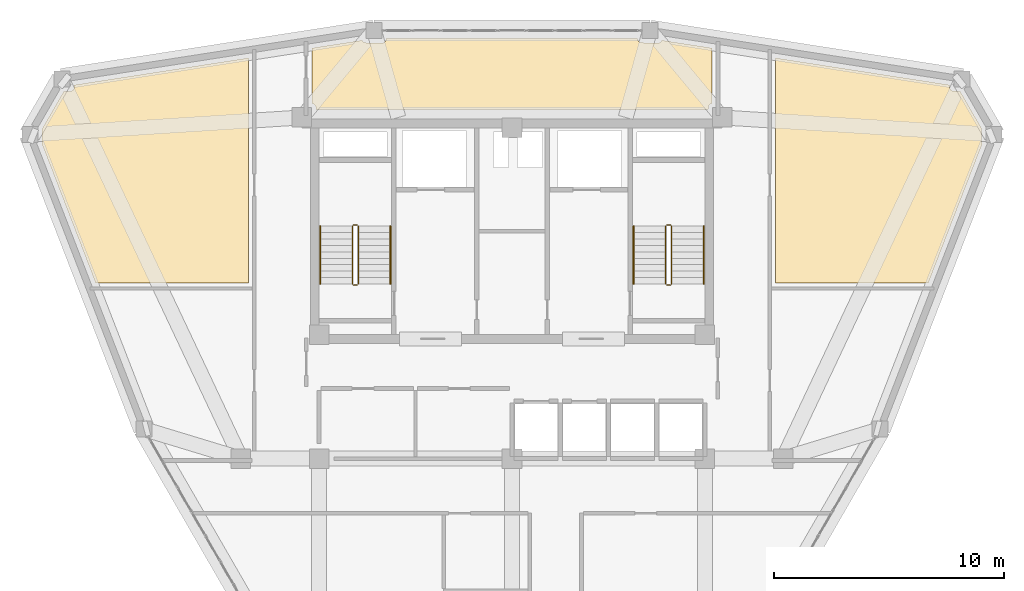
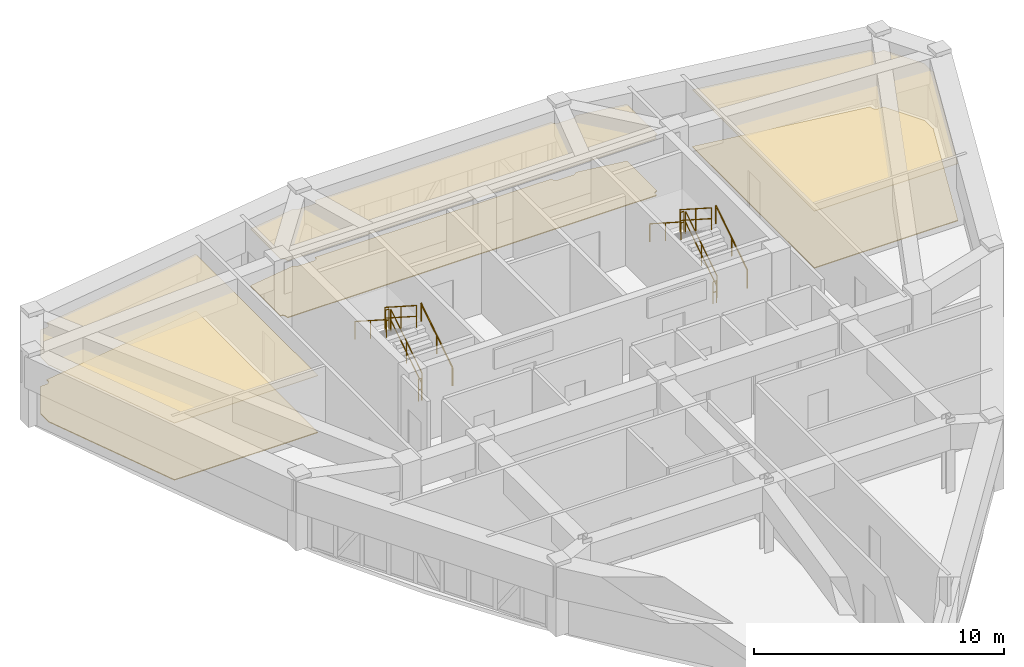
# One storey, part 15 of 15: 12 railings, 6 coverings.
"""IFC4 building model written with IfcOpenShell, lengths in metres."""

from ifc_helpers import new_model, si_unit, derived_unit, direction, frame, origin, origin_2d, place, context, subcontext, project, spatial, polyline, circle, outline, extrude, material, layer, layer_set, type_object, element, save


model = new_model("IFC4")

# Units and contexts
model_context = context("Model", 3, precision=1e-05, world=origin(), true_north=direction((0.0, 1.0)))
body_context = subcontext(model_context, "Body", "Model", "MODEL_VIEW")
ifc_project = project(units=[si_unit("LENGTHUNIT", "METRE"), si_unit("AREAUNIT", "SQUARE_METRE"), si_unit("VOLUMEUNIT", "CUBIC_METRE"), si_unit("PLANEANGLEUNIT", "RADIAN"), si_unit("MASSUNIT", "GRAM", prefix="KILO"), derived_unit("THERMALTRANSMITTANCEUNIT", [(si_unit("POWERUNIT", "WATT"), 1), (si_unit("LENGTHUNIT", "METRE"), -2), (si_unit("THERMODYNAMICTEMPERATUREUNIT", "KELVIN"), -1)])], contexts=[model_context])

# Site, building, storey
site_placement = place(None, origin())
site = spatial("IfcSite", under=ifc_project, at=site_placement, CompositionType="ELEMENT")
building_placement = place(site_placement, origin())
building = spatial("IfcBuilding", under=site, at=building_placement, Name="Korsvarv Bourse and Concert Hall", CompositionType="ELEMENT")
storey_placement = place(building_placement, frame((0.0, 0.0, 250.199951171875)))
storey = spatial("IfcBuildingStorey", under=building, at=storey_placement, Name="L65", CompositionType="ELEMENT", Elevation=250.199951171875)

# Coverings
ifc_material_1 = material(Name="Perforated mineral-wool and birch acoustic baffle ceiling", Category="wood")
ifc_layer_1 = layer(ifc_material_1, 0.02490234375)
ifc_layer_set_1 = layer_set([ifc_layer_1], Name="Perforated mineral-wool and birch acoustic baffle ceiling")
covering_type_1 = type_object("IfcCoveringType", Name="COV-CEIL-1", PredefinedType="CEILING", material=ifc_layer_set_1)
covering_1_placement = place(storey_placement, frame((0.0, 0.0, 2.7900390625)))
element("IfcCovering", 1, at=covering_1_placement, inside=storey, type_object=covering_type_1, Name="L65 acoustic baffle ceiling 1", PredefinedType="CEILING", context=body_context, shape_type="SweptSolid", body=[
    extrude(outline(polyline([(15.538330078125, 46.106201171875), (15.542236328125, 46.14111328125), (15.551513671875, 46.7578125), (16.490478515625, 48.384033203125), (16.759521484375, 48.384033203125), (16.793701171875, 48.387451171875), (16.826904296875, 48.397216796875), (16.857421875, 48.4130859375), (16.884521484375, 48.434326171875), (16.90673828125, 48.46044921875), (16.923828125, 48.490234375), (16.934814453125, 48.52294921875), (16.939453125, 48.556884765625), (16.943603515625, 48.6630859375), (24.52001953125, 49.8388671875), (24.52001953125, 40.050048828125), (17.877197265625, 40.050048828125), (15.538330078125, 46.106201171875)])), origin(), (0.0, 0.0, 1.0), 0.02490234375),
])
covering_2_placement = place(storey_placement, frame((0.0, 0.0, 2.7900390625)))
element("IfcCovering", 2, at=covering_2_placement, inside=storey, type_object=covering_type_1, Name="L65 acoustic baffle ceiling 2", PredefinedType="CEILING", context=body_context, shape_type="SweptSolid", body=[
    extrude(outline(polyline([(55.05029296875, 48.57421875), (55.0537109375, 48.53955078125), (55.063720703125, 48.50634765625), (55.079833984375, 48.4755859375), (55.1015625, 48.448486328125), (55.1279296875, 48.426025390625), (55.158203125, 48.4091796875), (55.19140625, 48.3984375), (55.2255859375, 48.394287109375), (55.508056640625, 48.38671875), (56.44775390625, 46.759033203125), (56.44775390625, 46.15380859375), (56.451171875, 46.11865234375), (56.461181640625, 46.085693359375), (54.122802734375, 40.050048828125), (47.47998046875, 40.050048828125), (47.47998046875, 49.8388671875), (55.05029296875, 48.663818359375), (55.05029296875, 48.57421875)])), origin(), (0.0, 0.0, 1.0), 0.02490234375),
])
covering_3_placement = place(storey_placement, frame((0.0, 0.0, 2.7900390625)))
element("IfcCovering", 3, at=covering_3_placement, inside=storey, type_object=covering_type_1, Name="L65 acoustic baffle ceiling 3", PredefinedType="CEILING", context=body_context, shape_type="SweptSolid", body=[
    extrude(outline(polyline([(29.472412109375, 50.607421875), (29.4853515625, 50.58349609375), (29.50732421875, 50.556396484375), (29.5341796875, 50.533935546875), (29.56494140625, 50.51708984375), (29.598388671875, 50.506591796875), (29.633056640625, 50.502685546875), (30.343017578125, 50.49267578125), (30.37744140625, 50.49560546875), (30.41064453125, 50.5048828125), (30.44140625, 50.520263671875), (30.46875, 50.54150390625), (30.491455078125, 50.5673828125), (30.5087890625, 50.59716796875), (30.5205078125, 50.629638671875), (30.525390625, 50.663818359375), (30.52685546875, 50.692626953125), (41.46435546875, 50.692626953125), (41.46533203125, 50.665283203125), (41.471923828125, 50.630859375), (41.4853515625, 50.598388671875), (41.504638671875, 50.5693359375), (41.529052734375, 50.54443359375), (41.55810546875, 50.52490234375), (41.590087890625, 50.510986328125), (41.62451171875, 50.50390625), (42.351806640625, 50.49267578125), (42.387939453125, 50.495849609375), (42.4228515625, 50.506103515625), (42.454833984375, 50.523193359375), (42.482666015625, 50.54638671875), (42.50537109375, 50.57470703125), (42.52197265625, 50.607177734375), (44.7099609375, 50.268798828125), (44.7099609375, 47.8642578125), (44.674072265625, 47.857666015625), (44.64208984375, 47.8447265625), (44.613037109375, 47.825927734375), (44.58837890625, 47.802001953125), (44.568603515625, 47.77392578125), (44.554443359375, 47.742431640625), (44.546630859375, 47.708984375), (44.541748046875, 47.60009765625), (27.465087890625, 47.60009765625), (27.465087890625, 47.675048828125), (27.461181640625, 47.711181640625), (27.450439453125, 47.74560546875), (27.43310546875, 47.77734375), (27.409423828125, 47.804931640625), (27.380859375, 47.827392578125), (27.348388671875, 47.843505859375), (27.313232421875, 47.852783203125), (27.2900390625, 47.85498046875), (27.2900390625, 50.268798828125), (29.472412109375, 50.607421875)])), origin(), (0.0, 0.0, 1.0), 0.02490234375),
])
ifc_material_2 = material(Name="Calcium-sulphate raised access trading floor with Nordic oak top", Category="wood")
ifc_layer_2 = layer(ifc_material_2, 0.0400390625)
ifc_layer_set_2 = layer_set([ifc_layer_2], Name="Calcium-sulphate raised access trading floor with Nordic oak top")
covering_type_2 = type_object("IfcCoveringType", Name="COV-FLOR-1", PredefinedType="FLOORING", material=ifc_layer_set_2)
covering_4_placement = place(storey_placement, origin())
element("IfcCovering", 4, at=covering_4_placement, inside=storey, type_object=covering_type_2, Name="L65 raised access oak floor finish 1", PredefinedType="FLOORING", context=body_context, shape_type="SweptSolid", body=[
    extrude(outline(polyline([(15.538330078125, 46.106201171875), (15.542236328125, 46.14111328125), (15.551513671875, 46.7578125), (16.490478515625, 48.384033203125), (16.759521484375, 48.384033203125), (16.793701171875, 48.387451171875), (16.826904296875, 48.397216796875), (16.857421875, 48.4130859375), (16.884521484375, 48.434326171875), (16.90673828125, 48.46044921875), (16.923828125, 48.490234375), (16.934814453125, 48.52294921875), (16.939453125, 48.556884765625), (16.943603515625, 48.6630859375), (24.52001953125, 49.8388671875), (24.52001953125, 40.050048828125), (17.877197265625, 40.050048828125), (15.538330078125, 46.106201171875)])), origin(), (0.0, 0.0, 1.0), 0.0400390625),
])
covering_5_placement = place(storey_placement, origin())
element("IfcCovering", 5, at=covering_5_placement, inside=storey, type_object=covering_type_2, Name="L65 raised access oak floor finish 2", PredefinedType="FLOORING", context=body_context, shape_type="SweptSolid", body=[
    extrude(outline(polyline([(55.05029296875, 48.57421875), (55.0537109375, 48.53955078125), (55.063720703125, 48.50634765625), (55.079833984375, 48.4755859375), (55.1015625, 48.448486328125), (55.1279296875, 48.426025390625), (55.158203125, 48.4091796875), (55.19140625, 48.3984375), (55.2255859375, 48.394287109375), (55.508056640625, 48.38671875), (56.44775390625, 46.759033203125), (56.44775390625, 46.15380859375), (56.451171875, 46.11865234375), (56.461181640625, 46.085693359375), (54.122802734375, 40.050048828125), (47.47998046875, 40.050048828125), (47.47998046875, 49.8388671875), (55.05029296875, 48.663818359375), (55.05029296875, 48.57421875)])), origin(), (0.0, 0.0, 1.0), 0.0400390625),
])
covering_6_placement = place(storey_placement, origin())
element("IfcCovering", 6, at=covering_6_placement, inside=storey, type_object=covering_type_2, Name="L65 raised access oak floor finish 3", PredefinedType="FLOORING", context=body_context, shape_type="SweptSolid", body=[
    extrude(outline(polyline([(29.472412109375, 50.607421875), (29.4853515625, 50.58349609375), (29.50732421875, 50.556396484375), (29.5341796875, 50.533935546875), (29.56494140625, 50.51708984375), (29.598388671875, 50.506591796875), (29.633056640625, 50.502685546875), (30.343017578125, 50.49267578125), (30.37744140625, 50.49560546875), (30.41064453125, 50.5048828125), (30.44140625, 50.520263671875), (30.46875, 50.54150390625), (30.491455078125, 50.5673828125), (30.5087890625, 50.59716796875), (30.5205078125, 50.629638671875), (30.525390625, 50.663818359375), (30.52685546875, 50.692626953125), (41.46435546875, 50.692626953125), (41.46533203125, 50.665283203125), (41.471923828125, 50.630859375), (41.4853515625, 50.598388671875), (41.504638671875, 50.5693359375), (41.529052734375, 50.54443359375), (41.55810546875, 50.52490234375), (41.590087890625, 50.510986328125), (41.62451171875, 50.50390625), (42.351806640625, 50.49267578125), (42.387939453125, 50.495849609375), (42.4228515625, 50.506103515625), (42.454833984375, 50.523193359375), (42.482666015625, 50.54638671875), (42.50537109375, 50.57470703125), (42.52197265625, 50.607177734375), (44.7099609375, 50.268798828125), (44.7099609375, 47.8642578125), (44.674072265625, 47.857666015625), (44.64208984375, 47.8447265625), (44.613037109375, 47.825927734375), (44.58837890625, 47.802001953125), (44.568603515625, 47.77392578125), (44.554443359375, 47.742431640625), (44.546630859375, 47.708984375), (44.541748046875, 47.60009765625), (27.465087890625, 47.60009765625), (27.465087890625, 47.675048828125), (27.461181640625, 47.711181640625), (27.450439453125, 47.74560546875), (27.43310546875, 47.77734375), (27.409423828125, 47.804931640625), (27.380859375, 47.827392578125), (27.348388671875, 47.843505859375), (27.313232421875, 47.852783203125), (27.2900390625, 47.85498046875), (27.2900390625, 50.268798828125), (29.472412109375, 50.607421875)])), origin(), (0.0, 0.0, 1.0), 0.0400390625),
])

# Railings
ifc_material_3 = material(Name="Painted Steel S355 stair well guardrail", Category="steel")
railing_type_1 = type_object("IfcRailingType", Name="RL-ST-GRD", PredefinedType="GUARDRAIL", material=ifc_material_3)
railing_1_placement = place(storey_placement, frame((29.31005859375, 40.0, 0.179931640625)))
element("IfcRailing", 7, at=railing_1_placement, inside=storey, type_object=railing_type_1, Name="L65 ST-T1 stair guard 1", PredefinedType="GUARDRAIL", context=body_context, shape_type="SweptSolid", body=[
    extrude(circle(Radius=0.02392578125, at=origin_2d()), frame((0.0, 0.0, 1.076171875), z_axis=(0.0, 0.841162588446, 0.540782303519), x_axis=(-1.0, 0.0, 0.0)), (0.0, 0.0, 1.0), 2.995849609375),
    extrude(circle(Radius=0.02392578125, at=origin_2d()), frame((0.0, 0.0, 0.550048828125), z_axis=(0.0, 0.841162588446, 0.540782303519), x_axis=(-1.0, 0.0, 0.0)), (0.0, 0.0, 1.0), 2.995849609375),
    extrude(circle(Radius=0.02099609375, at=origin_2d()), origin(), (0.0, 0.0, 1.0), 1.052001953125),
    extrude(circle(Radius=0.02099609375, at=origin_2d()), frame((0.0, 1.260009765625, 0.81005859375)), (0.0, 0.0, 1.0), 1.052001953125),
    extrude(circle(Radius=0.02099609375, at=origin_2d()), frame((0.0, 2.52001953125, 1.6201171875)), (0.0, 0.0, 1.0), 1.052001953125),
])
railing_2_placement = place(storey_placement, frame((29.260009765625, 42.570068359375, 1.800048828125)))
element("IfcRailing", 8, at=railing_2_placement, inside=storey, type_object=railing_type_1, Name="L65 ST-T1 stair guard 2", PredefinedType="GUARDRAIL", context=body_context, shape_type="SweptSolid", body=[
    extrude(circle(Radius=0.02392578125, at=origin_2d()), frame((0.0, 0.0, 1.076171875), z_axis=(-1.0, 0.0, 0.0), x_axis=(0.0, -1.0, 0.0)), (0.0, 0.0, 1.0), 0.159912109375),
    extrude(circle(Radius=0.02392578125, at=origin_2d()), frame((0.0, 0.0, 0.550048828125), z_axis=(-1.0, 0.0, 0.0), x_axis=(0.0, -1.0, 0.0)), (0.0, 0.0, 1.0), 0.159912109375),
    extrude(circle(Radius=0.02099609375, at=origin_2d()), origin(), (0.0, 0.0, 1.0), 1.052001953125),
    extrude(circle(Radius=0.02099609375, at=origin_2d()), frame((-0.159912109375, 0.0, 0.0)), (0.0, 0.0, 1.0), 1.052001953125),
])
railing_3_placement = place(storey_placement, frame((29.050048828125, 42.52001953125, 1.97998046875)))
element("IfcRailing", 9, at=railing_3_placement, inside=storey, type_object=railing_type_1, Name="L65 ST-T1 stair guard 3", PredefinedType="GUARDRAIL", context=body_context, shape_type="SweptSolid", body=[
    extrude(circle(Radius=0.02392578125, at=origin_2d()), frame((0.0, 0.0, 1.076171875), z_axis=(0.0, -0.841162588446, 0.540782303519), x_axis=(1.0, 0.0, 0.0)), (0.0, 0.0, 1.0), 2.995849609375),
    extrude(circle(Radius=0.02392578125, at=origin_2d()), frame((0.0, 0.0, 0.550048828125), z_axis=(0.0, -0.841162588446, 0.540782303519), x_axis=(1.0, 0.0, 0.0)), (0.0, 0.0, 1.0), 2.995849609375),
    extrude(circle(Radius=0.02099609375, at=origin_2d()), origin(), (0.0, 0.0, 1.0), 1.052001953125),
    extrude(circle(Radius=0.02099609375, at=origin_2d()), frame((0.0, -1.260009765625, 0.81005859375)), (0.0, 0.0, 1.0), 1.052001953125),
    extrude(circle(Radius=0.02099609375, at=origin_2d()), frame((0.0, -2.52001953125, 1.6201171875)), (0.0, 0.0, 1.0), 1.052001953125),
])
railing_4_placement = place(storey_placement, frame((29.260009765625, 39.949951171875, 0.0)))
element("IfcRailing", 10, at=railing_4_placement, inside=storey, type_object=railing_type_1, Name="L65 ST-T1 stair guard 4", PredefinedType="GUARDRAIL", context=body_context, shape_type="SweptSolid", body=[
    extrude(circle(Radius=0.02392578125, at=origin_2d()), frame((0.0, 0.0, 1.076171875), z_axis=(-1.0, 0.0, 0.0), x_axis=(0.0, -1.0, 0.0)), (0.0, 0.0, 1.0), 0.159912109375),
    extrude(circle(Radius=0.02392578125, at=origin_2d()), frame((0.0, 0.0, 0.550048828125), z_axis=(-1.0, 0.0, 0.0), x_axis=(0.0, -1.0, 0.0)), (0.0, 0.0, 1.0), 0.159912109375),
    extrude(circle(Radius=0.02099609375, at=origin_2d()), origin(), (0.0, 0.0, 1.0), 1.052001953125),
    extrude(circle(Radius=0.02099609375, at=origin_2d()), frame((-0.159912109375, 0.0, 0.0)), (0.0, 0.0, 1.0), 1.052001953125),
])
railing_5_placement = place(storey_placement, frame((42.949951171875, 40.0, 0.179931640625)))
element("IfcRailing", 11, at=railing_5_placement, inside=storey, type_object=railing_type_1, Name="L65 ST-T2 stair guard 1", PredefinedType="GUARDRAIL", context=body_context, shape_type="SweptSolid", body=[
    extrude(circle(Radius=0.02392578125, at=origin_2d()), frame((0.0, 0.0, 1.076171875), z_axis=(0.0, 0.841162588446, 0.540782303519), x_axis=(-1.0, 0.0, 0.0)), (0.0, 0.0, 1.0), 2.995849609375),
    extrude(circle(Radius=0.02392578125, at=origin_2d()), frame((0.0, 0.0, 0.550048828125), z_axis=(0.0, 0.841162588446, 0.540782303519), x_axis=(-1.0, 0.0, 0.0)), (0.0, 0.0, 1.0), 2.995849609375),
    extrude(circle(Radius=0.02099609375, at=origin_2d()), origin(), (0.0, 0.0, 1.0), 1.052001953125),
    extrude(circle(Radius=0.02099609375, at=origin_2d()), frame((0.0, 1.260009765625, 0.81005859375)), (0.0, 0.0, 1.0), 1.052001953125),
    extrude(circle(Radius=0.02099609375, at=origin_2d()), frame((0.0, 2.52001953125, 1.6201171875)), (0.0, 0.0, 1.0), 1.052001953125),
])
railing_6_placement = place(storey_placement, frame((42.89990234375, 42.570068359375, 1.800048828125)))
element("IfcRailing", 12, at=railing_6_placement, inside=storey, type_object=railing_type_1, Name="L65 ST-T2 stair guard 2", PredefinedType="GUARDRAIL", context=body_context, shape_type="SweptSolid", body=[
    extrude(circle(Radius=0.02392578125, at=origin_2d()), frame((0.0, 0.0, 1.076171875), z_axis=(-1.0, 0.0, 0.0), x_axis=(0.0, -1.0, 0.0)), (0.0, 0.0, 1.0), 0.159912109375),
    extrude(circle(Radius=0.02392578125, at=origin_2d()), frame((0.0, 0.0, 0.550048828125), z_axis=(-1.0, 0.0, 0.0), x_axis=(0.0, -1.0, 0.0)), (0.0, 0.0, 1.0), 0.159912109375),
    extrude(circle(Radius=0.02099609375, at=origin_2d()), origin(), (0.0, 0.0, 1.0), 1.052001953125),
    extrude(circle(Radius=0.02099609375, at=origin_2d()), frame((-0.159912109375, 0.0, 0.0)), (0.0, 0.0, 1.0), 1.052001953125),
])
railing_7_placement = place(storey_placement, frame((42.68994140625, 42.52001953125, 1.97998046875)))
element("IfcRailing", 13, at=railing_7_placement, inside=storey, type_object=railing_type_1, Name="L65 ST-T2 stair guard 3", PredefinedType="GUARDRAIL", context=body_context, shape_type="SweptSolid", body=[
    extrude(circle(Radius=0.02392578125, at=origin_2d()), frame((0.0, 0.0, 1.076171875), z_axis=(0.0, -0.841162588446, 0.540782303519), x_axis=(1.0, 0.0, 0.0)), (0.0, 0.0, 1.0), 2.995849609375),
    extrude(circle(Radius=0.02392578125, at=origin_2d()), frame((0.0, 0.0, 0.550048828125), z_axis=(0.0, -0.841162588446, 0.540782303519), x_axis=(1.0, 0.0, 0.0)), (0.0, 0.0, 1.0), 2.995849609375),
    extrude(circle(Radius=0.02099609375, at=origin_2d()), origin(), (0.0, 0.0, 1.0), 1.052001953125),
    extrude(circle(Radius=0.02099609375, at=origin_2d()), frame((0.0, -1.260009765625, 0.81005859375)), (0.0, 0.0, 1.0), 1.052001953125),
    extrude(circle(Radius=0.02099609375, at=origin_2d()), frame((0.0, -2.52001953125, 1.6201171875)), (0.0, 0.0, 1.0), 1.052001953125),
])
railing_8_placement = place(storey_placement, frame((42.89990234375, 39.949951171875, 0.0)))
element("IfcRailing", 14, at=railing_8_placement, inside=storey, type_object=railing_type_1, Name="L65 ST-T2 stair guard 4", PredefinedType="GUARDRAIL", context=body_context, shape_type="SweptSolid", body=[
    extrude(circle(Radius=0.02392578125, at=origin_2d()), frame((0.0, 0.0, 1.076171875), z_axis=(-1.0, 0.0, 0.0), x_axis=(0.0, -1.0, 0.0)), (0.0, 0.0, 1.0), 0.159912109375),
    extrude(circle(Radius=0.02392578125, at=origin_2d()), frame((0.0, 0.0, 0.550048828125), z_axis=(-1.0, 0.0, 0.0), x_axis=(0.0, -1.0, 0.0)), (0.0, 0.0, 1.0), 0.159912109375),
    extrude(circle(Radius=0.02099609375, at=origin_2d()), origin(), (0.0, 0.0, 1.0), 1.052001953125),
    extrude(circle(Radius=0.02099609375, at=origin_2d()), frame((-0.159912109375, 0.0, 0.0)), (0.0, 0.0, 1.0), 1.052001953125),
])
ifc_material_4 = material(Name="Brushed stainless Steel S355 tubular handrail", Category="steel")
railing_type_2 = type_object("IfcRailingType", Name="RL-ST-HND", PredefinedType="HANDRAIL", material=ifc_material_4)
railing_9_placement = place(storey_placement, frame((30.7099609375, 40.0, 0.179931640625)))
element("IfcRailing", 15, at=railing_9_placement, inside=storey, type_object=railing_type_2, Name="L65 ST-T1 stair handrail 1", PredefinedType="HANDRAIL", context=body_context, shape_type="SweptSolid", body=[
    extrude(circle(Radius=0.02392578125, at=origin_2d()), frame((0.0, 0.0, 0.8759765625), z_axis=(0.0, 0.841162588446, 0.540782303519), x_axis=(-1.0, 0.0, 0.0)), (0.0, 0.0, 1.0), 2.995849609375),
    extrude(circle(Radius=0.02099609375, at=origin_2d()), origin(), (0.0, 0.0, 1.0), 0.851806640625),
    extrude(circle(Radius=0.02099609375, at=origin_2d()), frame((0.0, 1.260009765625, 0.81005859375)), (0.0, 0.0, 1.0), 0.851806640625),
    extrude(circle(Radius=0.02099609375, at=origin_2d()), frame((0.0, 2.52001953125, 1.6201171875)), (0.0, 0.0, 1.0), 0.851806640625),
])
railing_10_placement = place(storey_placement, frame((27.64990234375, 42.52001953125, 1.97998046875)))
element("IfcRailing", 16, at=railing_10_placement, inside=storey, type_object=railing_type_2, Name="L65 ST-T1 stair handrail 2", PredefinedType="HANDRAIL", context=body_context, shape_type="SweptSolid", body=[
    extrude(circle(Radius=0.02392578125, at=origin_2d()), frame((0.0, 0.0, 0.8759765625), z_axis=(0.0, -0.841162588446, 0.540782303519), x_axis=(1.0, 0.0, 0.0)), (0.0, 0.0, 1.0), 2.995849609375),
    extrude(circle(Radius=0.02099609375, at=origin_2d()), origin(), (0.0, 0.0, 1.0), 0.851806640625),
    extrude(circle(Radius=0.02099609375, at=origin_2d()), frame((0.0, -1.260009765625, 0.81005859375)), (0.0, 0.0, 1.0), 0.851806640625),
    extrude(circle(Radius=0.02099609375, at=origin_2d()), frame((0.0, -2.52001953125, 1.6201171875)), (0.0, 0.0, 1.0), 0.851806640625),
])
railing_11_placement = place(storey_placement, frame((44.35009765625, 40.0, 0.179931640625)))
element("IfcRailing", 17, at=railing_11_placement, inside=storey, type_object=railing_type_2, Name="L65 ST-T2 stair handrail 1", PredefinedType="HANDRAIL", context=body_context, shape_type="SweptSolid", body=[
    extrude(circle(Radius=0.02392578125, at=origin_2d()), frame((0.0, 0.0, 0.8759765625), z_axis=(0.0, 0.841162588446, 0.540782303519), x_axis=(-1.0, 0.0, 0.0)), (0.0, 0.0, 1.0), 2.995849609375),
    extrude(circle(Radius=0.02099609375, at=origin_2d()), origin(), (0.0, 0.0, 1.0), 0.851806640625),
    extrude(circle(Radius=0.02099609375, at=origin_2d()), frame((0.0, 1.260009765625, 0.81005859375)), (0.0, 0.0, 1.0), 0.851806640625),
    extrude(circle(Radius=0.02099609375, at=origin_2d()), frame((0.0, 2.52001953125, 1.6201171875)), (0.0, 0.0, 1.0), 0.851806640625),
])
railing_12_placement = place(storey_placement, frame((41.2900390625, 42.52001953125, 1.97998046875)))
element("IfcRailing", 18, at=railing_12_placement, inside=storey, type_object=railing_type_2, Name="L65 ST-T2 stair handrail 2", PredefinedType="HANDRAIL", context=body_context, shape_type="SweptSolid", body=[
    extrude(circle(Radius=0.02392578125, at=origin_2d()), frame((0.0, 0.0, 0.8759765625), z_axis=(0.0, -0.841162588446, 0.540782303519), x_axis=(1.0, 0.0, 0.0)), (0.0, 0.0, 1.0), 2.995849609375),
    extrude(circle(Radius=0.02099609375, at=origin_2d()), origin(), (0.0, 0.0, 1.0), 0.851806640625),
    extrude(circle(Radius=0.02099609375, at=origin_2d()), frame((0.0, -1.260009765625, 0.81005859375)), (0.0, 0.0, 1.0), 0.851806640625),
    extrude(circle(Radius=0.02099609375, at=origin_2d()), frame((0.0, -2.52001953125, 1.6201171875)), (0.0, 0.0, 1.0), 0.851806640625),
])

save(model, "model.ifc")
